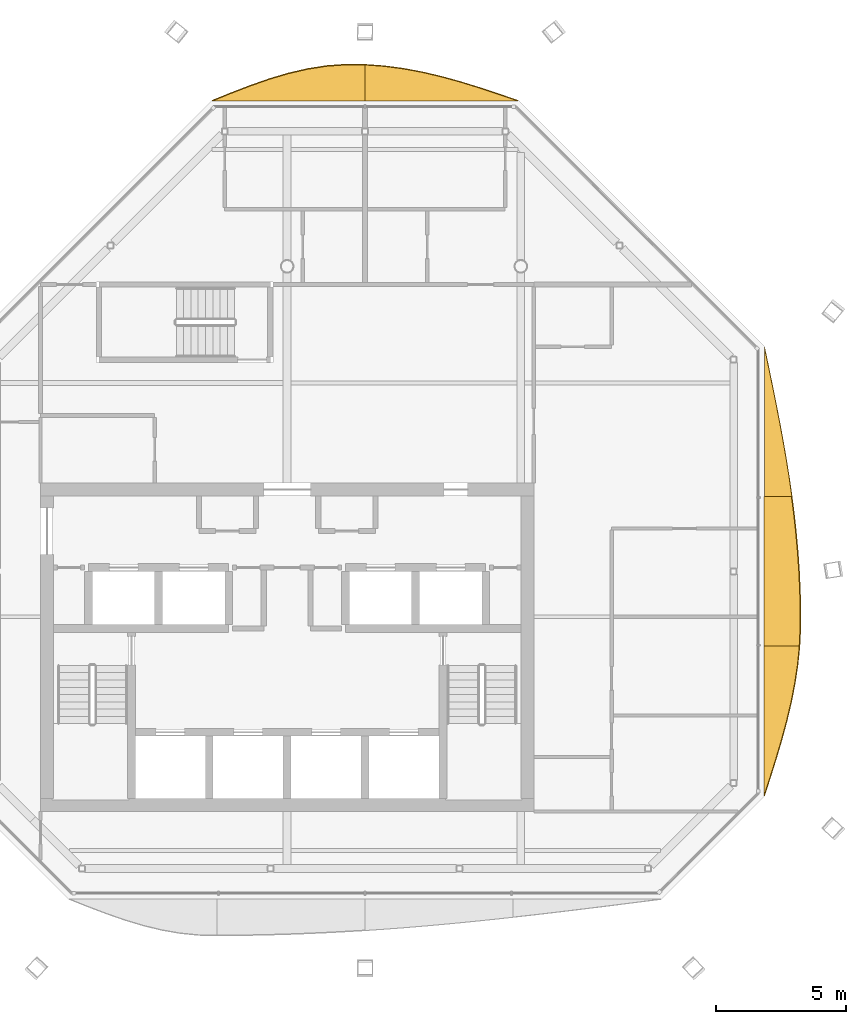
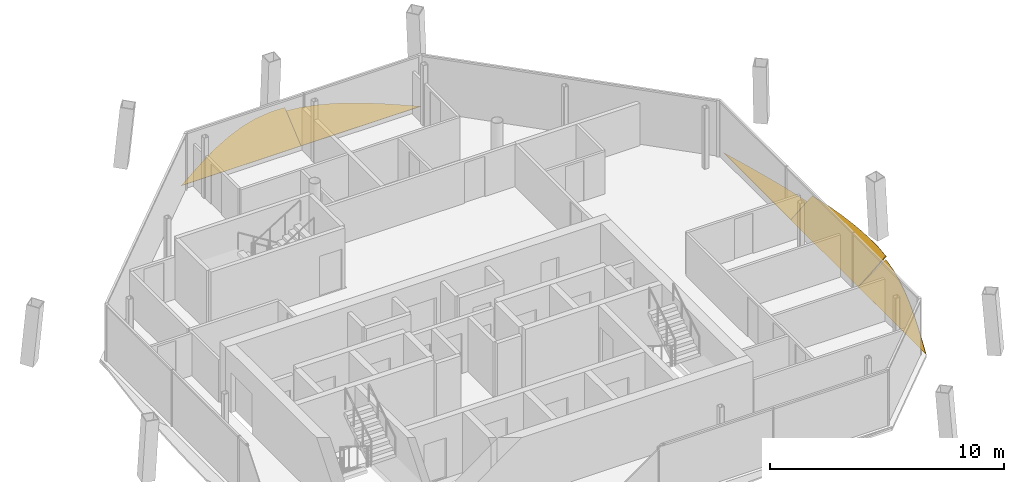
# One storey, part 13 of 13: 5 shading devices.
"""IFC4 building model written with IfcOpenShell, lengths in metres."""

from ifc_helpers import new_model, si_unit, direction, frame, origin, place, context, subcontext, project, spatial, polyline, outline, extrude, material, layer, layer_set, type_object, element, save


model = new_model("IFC4")

# Units and contexts
model_context = context("Model", 3, precision=1e-05, world=origin(), true_north=direction((0.0, 1.0)))
body_context = subcontext(model_context, "Body", "Model", "MODEL_VIEW")
ifc_project = project(units=[si_unit("LENGTHUNIT", "METRE"), si_unit("AREAUNIT", "SQUARE_METRE"), si_unit("VOLUMEUNIT", "CUBIC_METRE"), si_unit("PLANEANGLEUNIT", "RADIAN"), si_unit("MASSUNIT", "GRAM", prefix="KILO")], contexts=[model_context])

# Site, building, storey
site_placement = place(None, origin())
site = spatial("IfcSite", under=ifc_project, at=site_placement, CompositionType="ELEMENT")
building_placement = place(site_placement, origin())
building = spatial("IfcBuilding", under=site, at=building_placement, Name="Tskaro Facet Tower", CompositionType="ELEMENT")
storey_placement = place(building_placement, frame((0.0, 0.0, 291.0)))
storey = spatial("IfcBuildingStorey", under=building, at=storey_placement, Name="L78", CompositionType="ELEMENT", Elevation=291.0)

# Shading devices
ifc_material = material(Name="Bronze anodised aluminium 6063-T6", Category="aluminium")
ifc_layer = layer(ifc_material, 0.06005859375, Name="Bronze anodised aluminium 6063-T6")
ifc_layer_set = layer_set([ifc_layer], Name="Bronze anodised aluminium 6063-T6")
shading_device_type = type_object("IfcShadingDeviceType", Name="Bronze sun blade (FN1)", PredefinedType="USERDEFINED", material=ifc_layer_set)
shading_device_1_placement = place(storey_placement, frame((18.365478515625, -11.39990234375, 0.049072265625), z_axis=(-0.573551226083, -4.559431e-06, 0.819169696118), x_axis=(-2.615067e-06, 0.99999999999, 3.734948e-06)))
element("IfcShadingDevice", 1, at=shading_device_1_placement, inside=storey, type_object=shading_device_type, Name="Fin blade east 1", ObjectType="FIN", PredefinedType="USERDEFINED", context=body_context, shape_type="SweptSolid", body=[
    extrude(outline(polyline([(0.0, 0.0), (5.766601562440061, 0.0), (5.766601562620919, -1.662164778607039), (5.045654296409197, -1.5729612882211792), (4.324951172303252, -1.4398761230092005), (3.6040039058593987, -1.2668893620786512), (2.8833007812434945, -1.0586212548643277), (2.162353515378891, -0.82075197925578), (1.4416503903328597, -0.5602618267213721), (0.7207031256726817, -0.2841310887294686), (0.0, 0.0)])), origin(), (0.0, 0.0, -1.0), 0.06005859375),
])
shading_device_2_placement = place(storey_placement, frame((18.361328125, -5.63330078125, 0.0458984375), z_axis=(-0.642791422007, 4.238569e-06, 0.766041244174), x_axis=(2.724516e-06, 0.999999999991, -3.246919e-06)))
element("IfcShadingDevice", 2, at=shading_device_2_placement, inside=storey, type_object=shading_device_type, Name="Fin blade east 2", ObjectType="FIN", PredefinedType="USERDEFINED", context=body_context, shape_type="SweptSolid", body=[
    extrude(outline(polyline([(0.0, 0.0), (5.7666015624482005, 0.0), (5.766601562416013, -1.386688704883146), (5.045898437822525, -1.506442319567273), (4.324951171691679, -1.6088478184260713), (3.6042480464487943, -1.6927164100970913), (2.883300781226495, -1.757016234717398), (2.1623535154469877, -1.801029295423086), (1.4416503907830556, -1.8239107541393504), (1.0148925783418214, -1.827724330592061), (0.7207031252920715, -1.8235668008517052), (-2.331029048815113e-10, -1.7774599301315317), (0.0, 0.0)])), origin(), (0.0, 0.0, -1.0), 0.06005859375),
])
shading_device_3_placement = place(storey_placement, frame((18.37939453125, 0.13330078125, 0.056396484375), z_axis=(-0.341936298076, -7.087441e-06, 0.939723133698), x_axis=(-2.423453e-06, 0.999999999975, 6.660233e-06)))
element("IfcShadingDevice", 3, at=shading_device_3_placement, inside=storey, type_object=shading_device_type, Name="Fin blade east 3", ObjectType="FIN", PredefinedType="USERDEFINED", context=body_context, shape_type="SweptSolid", body=[
    extrude(outline(polyline([(0.0, 0.0), (5.7666015623551665, 0.0), (5.045898437140057, -0.16002519070890403), (4.3249511721895315, -0.31827744818240206), (3.6042480463910884, -0.4728168781020391), (2.88330078101035, -0.6219540277739336), (2.162597656560848, -0.7638324834211552), (1.441650390464476, -0.896825255859967), (0.7209472658951683, -1.0194723169896815), (-3.1684510391933134e-10, -1.130376102219756), (0.0, 0.0)])), origin(), (0.0, 0.0, -1.0), 0.06005859375),
])
shading_device_4_placement = place(storey_placement, frame((8.89990234375, 15.365478515625, 0.049072265625), z_axis=(3.313793e-06, -0.573601061008, 0.81913480136), x_axis=(-0.999999999995, -1.900795e-06, 2.714443e-06)))
element("IfcShadingDevice", 4, at=shading_device_4_placement, inside=storey, type_object=shading_device_type, Name="Fin blade north 1", ObjectType="FIN", PredefinedType="USERDEFINED", context=body_context, shape_type="SweptSolid", body=[
    extrude(outline(polyline([(0.0, 0.0), (5.899902343717606, 1.2493529176847792e-21), (5.8999023438260805, -1.6965061324606083), (5.162353515476503, -1.6314835863101633), (4.4248046871570255, -1.5128189508205918), (3.6875000002855556, -1.3448524356818912), (2.9499511720846914, -1.1329241709958815), (2.2124023435733777, -0.8836744357191546), (1.4748535152106594, -0.6058435939925345), (0.7373046879196418, -0.3079720258744797), (0.0, 0.0)])), origin(), (0.0, 0.0, -1.0), 0.06005859375),
])
shading_device_5_placement = place(storey_placement, frame((3.0, 15.361328125, 0.0458984375), z_axis=(-6.06992e-07, -0.642764631831, 0.766063723241), x_axis=(-1.0, 3.90153e-07, -4.64994e-07)))
element("IfcShadingDevice", 5, at=shading_device_5_placement, inside=storey, type_object=shading_device_type, Name="Fin blade north 2", ObjectType="FIN", PredefinedType="USERDEFINED", context=body_context, shape_type="SweptSolid", body=[
    extrude(outline(polyline([(0.0, 0.0), (5.899902343748914, -3.123382294211948e-22), (5.162597656208088, -0.3888644348999013), (4.425048828157296, -0.759722944304336), (3.6874999999411804, -1.0960722343000422), (2.949951171869169, -1.382187222395726), (2.2124023438004894, -1.6048773143876733), (1.4750976562636966, -1.7540775885055362), (0.7375488281471798, -1.823222849964697), (0.49560546874346645, -1.8277243313385638), (-1.5420461910073685e-11, -1.8140328599407818), (0.0, 0.0)])), origin(), (0.0, 0.0, -1.0), 0.06005859375),
])

save(model, "model.ifc")
